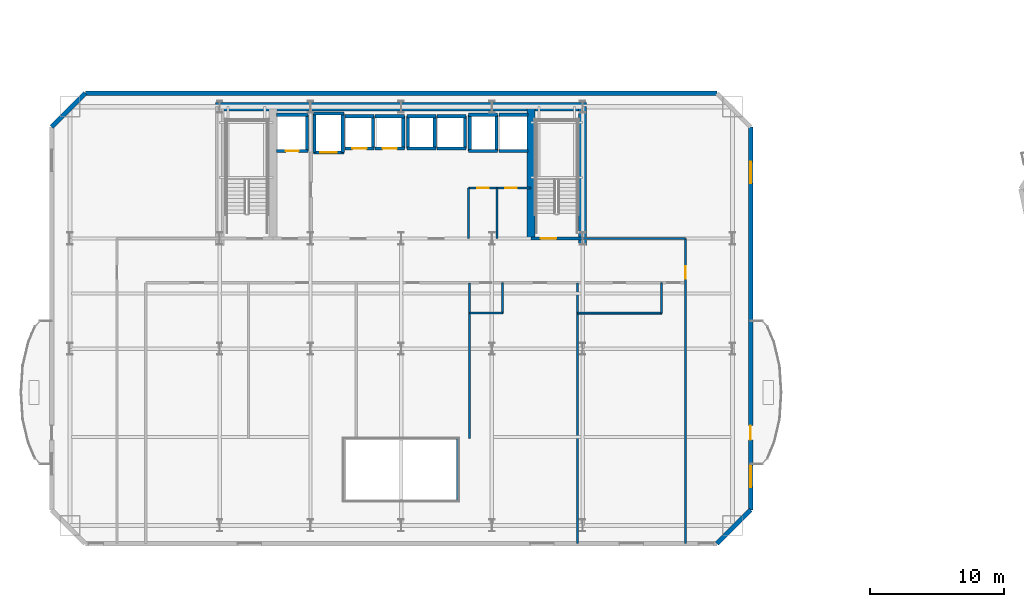
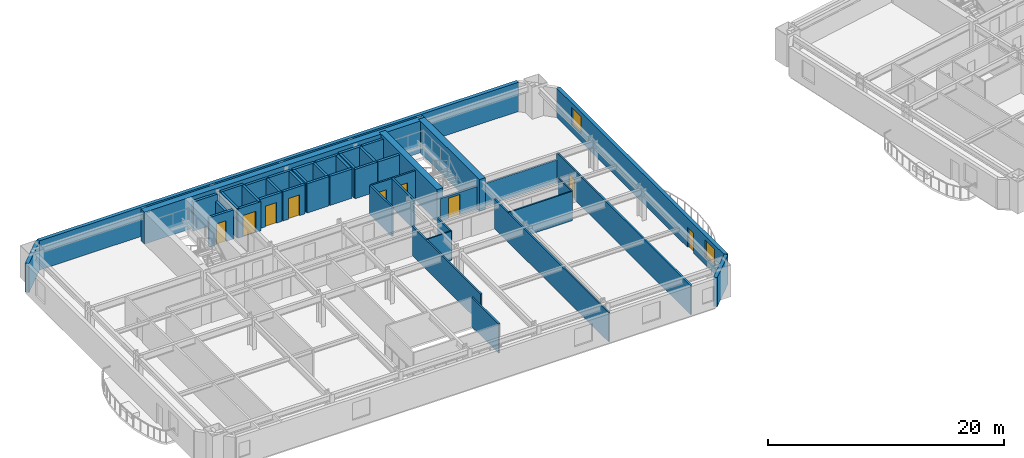
# One storey, part 6 of 16: 46 walls, 9 doors, 2 windows, 11 openings.
"""IFC4 building model written with IfcOpenShell, lengths in metres."""

import ifcopenshell
import ifcopenshell.guid

model = None  # the IFC model being written
_history = None  # IfcOwnerHistory: only IFC2X3 demands one
_inside = {}  # id of a spatial element -> (the spatial element, [elements in it])
_under = {}  # id of a project, library or spatial element -> (it, [spatial elements below it])
_declared = {}  # id of a project -> (the project, [libraries it declares])
_typed = {}  # id of a type object -> (the type object, [elements of that type])
_made_of = {}  # id of a material, layer set ... -> (it, [elements and type objects made of it])


def new_model(schema):
    """Start an empty IFC model of exactly this schema.

    Asked for "IFC4X3", IfcOpenShell would pick the latest addendum, in which some entities
    have other attributes; the version numbers below select the first issue.
    IFC2X3 requires an IfcOwnerHistory on every rooted entity: one is made here for all.
    """
    global model, _history
    if schema == "IFC4X3":
        model = ifcopenshell.file(schema_version=(4, 3, 0, 0))
    else:
        model = ifcopenshell.file(schema=schema)
    _inside.clear()
    _under.clear()
    _declared.clear()
    _typed.clear()
    _made_of.clear()
    _history = None
    if model.schema == "IFC2X3":
        org = make("IfcOrganization", Name="unknown")
        user = make(
            "IfcPersonAndOrganization",
            ThePerson=make("IfcPerson", FamilyName="unknown"),
            TheOrganization=org,
        )
        app = make(
            "IfcApplication",
            ApplicationDeveloper=org,
            Version="unknown",
            ApplicationFullName="unknown",
            ApplicationIdentifier="unknown",
        )
        _history = make(
            "IfcOwnerHistory",
            OwningUser=user,
            OwningApplication=app,
            ChangeAction="ADDED",
            CreationDate=0,
        )
    return model


def make(cls, **values):
    """One entity of the class cls with the attributes given. An attribute that is None is left unset."""
    return model.create_entity(
        cls, **{name: value for name, value in values.items() if value is not None}
    )


def rooted(cls, **values):
    """An entity with a GlobalId (a new one), such as an element, a storey or a relation."""
    return make(cls, GlobalId=ifcopenshell.guid.new(), OwnerHistory=_history, **values)


def si_unit(unit_type, name, prefix=None):
    """IfcSIUnit, for example si_unit("LENGTHUNIT", "METRE", prefix="MILLI")."""
    return make("IfcSIUnit", UnitType=unit_type, Prefix=prefix, Name=name)


def assignment(units):
    """IfcUnitAssignment: the units of a project."""
    return None if units is None else make("IfcUnitAssignment", Units=units)


def point(xyz):
    """IfcCartesianPoint."""
    return None if xyz is None else make("IfcCartesianPoint", Coordinates=xyz)


def direction(xyz):
    """IfcDirection."""
    return None if xyz is None else make("IfcDirection", DirectionRatios=xyz)


def frame(location, z_axis=None, x_axis=None):
    """IfcAxis2Placement3D, a coordinate frame: its origin and axes. An axis left out is left unset."""
    return make(
        "IfcAxis2Placement3D",
        Location=point(location),
        Axis=direction(z_axis),
        RefDirection=direction(x_axis),
    )


def frame_2d(location, x_axis=None):
    """IfcAxis2Placement2D, a coordinate frame in the plane: its origin and x axis."""
    return make(
        "IfcAxis2Placement2D", Location=point(location), RefDirection=direction(x_axis)
    )


def origin():
    """The frame at (0, 0, 0) with its axes left unset."""
    return frame((0.0, 0.0, 0.0))


def place(relative_to, where):
    """IfcLocalPlacement: puts the frame where relative to a parent placement (None: the world)."""
    return make(
        "IfcLocalPlacement", PlacementRelTo=relative_to, RelativePlacement=where
    )


def context(
    kind, dimensions, precision=None, world=None, true_north=None, identifier=None
):
    """IfcGeometricRepresentationContext, for example the 3D "Model" context."""
    return make(
        "IfcGeometricRepresentationContext",
        ContextIdentifier=identifier,
        ContextType=kind,
        CoordinateSpaceDimension=dimensions,
        Precision=precision,
        WorldCoordinateSystem=world,
        TrueNorth=true_north,
    )


def subcontext(parent, identifier, kind, view, scale=None):
    """IfcGeometricRepresentationSubContext, for example "Body" below "Model"."""
    return make(
        "IfcGeometricRepresentationSubContext",
        ContextIdentifier=identifier,
        ContextType=kind,
        ParentContext=parent,
        TargetScale=scale,
        TargetView=view,
    )


def project(units=None, contexts=None):
    """IfcProject with its units and contexts."""
    return rooted(
        "IfcProject",
        Name="project",
        RepresentationContexts=contexts,
        UnitsInContext=assignment(units),
    )


def spatial(cls, under=None, at=None, **own):
    """A site, building, storey or space (cls), placed at a placement, below another one or the project."""
    s = rooted(cls, ObjectPlacement=at, **own)
    if under is not None:
        _under.setdefault(under.id(), (under, []))[1].append(s)
    return s


def profile(cls, at=None, kind="AREA", **sizes):
    """A parametric profile (cls). Its sizes go by their IFC names, for example OverallWidth=200.0."""
    return make(cls, ProfileType=kind, Position=at, **sizes)


def rectangle(**sizes):
    """IfcRectangleProfileDef."""
    return profile("IfcRectangleProfileDef", **sizes)


def extrude(swept, where, along, depth):
    """IfcExtrudedAreaSolid: the profile swept, set in the frame where, extruded along a direction by depth."""
    return make(
        "IfcExtrudedAreaSolid",
        SweptArea=swept,
        Position=where,
        ExtrudedDirection=direction(along),
        Depth=depth,
    )


def shape(context_of_items, identifier, shape_type, items):
    """IfcShapeRepresentation: the items that make up one representation, for example the "Body"."""
    return make(
        "IfcShapeRepresentation",
        ContextOfItems=context_of_items,
        RepresentationIdentifier=identifier,
        RepresentationType=shape_type,
        Items=items,
    )


def material(Name=None, Category=None):
    """IfcMaterial."""
    return make("IfcMaterial", Name=Name, Category=Category)


def layer(
    of_material, thickness, ventilated=None, Name=None, Category=None, Priority=None
):
    """IfcMaterialLayer: one layer of a wall or slab, of a material (None: an air gap)."""
    return make(
        "IfcMaterialLayer",
        Material=of_material,
        LayerThickness=thickness,
        IsVentilated=ventilated,
        Name=Name,
        Category=Category,
        Priority=Priority,
    )


def layer_set(layers, Name=None):
    """IfcMaterialLayerSet."""
    return make("IfcMaterialLayerSet", MaterialLayers=layers, LayerSetName=Name)


def made_of(thing, what):
    """Note that an element or type object is made of a material, layer set ...; save() writes the relation."""
    if what is not None:
        _made_of.setdefault(what.id(), (what, []))[1].append(thing)
    return thing


def type_object(cls, material=None, **own):
    """A type object (cls), such as IfcWallType, which elements share."""
    return made_of(rooted(cls, **own), material)


def element(
    cls,
    number,
    at=None,
    inside=None,
    cuts=None,
    type_object=None,
    material=None,
    context=None,
    identifier="Body",
    shape_type=None,
    held_by="IfcProductDefinitionShape",
    body=None,
    shapes=None,
    **own,
):
    """One element of the class cls, such as IfcWall. Its Tag is "e" and its number.

    at: its placement. inside: the storey or other place that contains it. cuts: it is an
    opening in that element (IfcRelVoidsElement). A single representation is given by context,
    identifier, shape_type and body (its items); several are given by shapes. held_by: the class
    of the entity that holds the representations. save() writes the other relations.
    """
    e = rooted(cls, Tag="e%d" % number, ObjectPlacement=at, **own)
    if body is not None:
        shapes = [shape(context, identifier, shape_type, body)]
    if shapes is not None:
        e.Representation = make(held_by, Representations=shapes)
    if inside is not None:
        _inside.setdefault(inside.id(), (inside, []))[1].append(e)
    if cuts is not None:
        rooted(
            "IfcRelVoidsElement", RelatingBuildingElement=cuts, RelatedOpeningElement=e
        )
    if type_object is not None:
        _typed.setdefault(type_object.id(), (type_object, []))[1].append(e)
    return made_of(e, material)


def fill(opening, filler):
    """IfcRelFillsElement: the door or window that sits in an opening."""
    return rooted(
        "IfcRelFillsElement",
        RelatingOpeningElement=opening,
        RelatedBuildingElement=filler,
    )


def aggregate(whole, parts):
    """IfcRelAggregates: a whole, such as a stair, and the parts it consists of."""
    return rooted("IfcRelAggregates", RelatingObject=whole, RelatedObjects=parts)


def save(model, path):
    """Write the relations noted so far, then the file.

    IfcRelAggregates (storeys below a building ...), IfcRelContainedInSpatialStructure (elements
    in a storey), IfcRelDefinesByType, IfcRelAssociatesMaterial and IfcRelDeclares: one each for
    every whole, place, type object, material and project.
    """
    for whole, parts in _under.values():
        aggregate(whole, parts)
    for where, things in _inside.values():
        rooted(
            "IfcRelContainedInSpatialStructure",
            RelatedElements=things,
            RelatingStructure=where,
        )
    for kind, things in _typed.values():
        rooted("IfcRelDefinesByType", RelatedObjects=things, RelatingType=kind)
    for what, things in _made_of.values():
        rooted("IfcRelAssociatesMaterial", RelatedObjects=things, RelatingMaterial=what)
    for by, libraries in _declared.values():
        rooted("IfcRelDeclares", RelatingContext=by, RelatedDefinitions=libraries)
    model.write(path)


model = new_model("IFC4")

# Units and contexts
model_context = context("Model", 3, precision=1e-05, world=origin(), true_north=direction((0.0, 1.0)))
body_context = subcontext(model_context, "Body", "Model", "MODEL_VIEW")
ifc_project = project(units=[si_unit("LENGTHUNIT", "METRE"), si_unit("AREAUNIT", "SQUARE_METRE"), si_unit("VOLUMEUNIT", "CUBIC_METRE"), si_unit("PLANEANGLEUNIT", "RADIAN"), si_unit("MASSUNIT", "GRAM", prefix="KILO")], contexts=[model_context])

# Site, building, storey
site_placement = place(None, origin())
site = spatial("IfcSite", under=ifc_project, at=site_placement, CompositionType="ELEMENT")
building_placement = place(site_placement, origin())
building = spatial("IfcBuilding", under=site, at=building_placement, Name="Haevon Station Towers", CompositionType="ELEMENT")
storey_placement = place(building_placement, frame((0.0, 0.0, 57.0)))
storey = spatial("IfcBuildingStorey", under=building, at=storey_placement, Name="L14", CompositionType="ELEMENT", Elevation=57.0)

# Wall, opening, door
ifc_material_1 = material(Name="Gypsum board on steel stud", Category="steel")
ifc_layer_1 = layer(ifc_material_1, 0.199951171875)
ifc_layer_set_1 = layer_set([ifc_layer_1], Name="Gypsum board on steel stud")
wall_type_1 = type_object("IfcWallType", Name="WL-COR200", PredefinedType="PARTITIONING", material=ifc_layer_set_1)
wall_1_placement = place(storey_placement, frame((47.14990234375, 38.199951171875, 0.0), z_axis=(0.0, 0.0, 1.0), x_axis=(1.0, 0.0, 0.0)))
wall_1 = element("IfcWall", 1, at=wall_1_placement, inside=storey, type_object=wall_type_1, Name="WL-ST-ST2-L14", PredefinedType="PARTITIONING", context=body_context, shape_type="SweptSolid", body=[
    extrude(rectangle(XDim=3.85009765625, YDim=0.199951171875, at=frame_2d((1.925048828125, 0.0))), origin(), (0.0, 0.0, 1.0), 2.330078125),
])
opening_1_placement = place(wall_1_placement, frame((0.75, 0.0, 0.0)))
opening_1 = element("IfcOpeningElement", 2, at=opening_1_placement, cuts=wall_1, Name="Opening DR-ST-ST2-L14", PredefinedType="OPENING", context=body_context, shape_type="SweptSolid", body=[
    extrude(rectangle(XDim=1.1201171875, YDim=2.10009765625, at=frame_2d((0.56005859375, 1.050048828125))), frame((0.0, 0.10986328125, 0.0), z_axis=(0.0, -1.0, 0.0), x_axis=(1.0, 0.0, 0.0)), (0.0, 0.0, 1.0), 0.219970703125),
])
ifc_material_2 = material(Name="Engineered oak timber", Category="wood")
door_type_1 = type_object("IfcDoorType", Name="DR-ST-1120", OperationType="NOTDEFINED", PredefinedType="DOOR", material=ifc_material_2)
door_1_placement = place(opening_1_placement, origin())
door_1 = element("IfcDoor", 3, at=door_1_placement, inside=storey, type_object=door_type_1, Name="L14 Escape Stair ST2 Fire Door", OperationType="SINGLE_SWING_RIGHT", OverallHeight=2.10009765625, OverallWidth=1.1201171875, PredefinedType="DOOR", context=body_context, shape_type="SweptSolid", body=[
    extrude(rectangle(XDim=1.1201171875, YDim=2.10009765625, at=frame_2d((0.56005859375, 1.050048828125))), frame((0.0, 0.02490234375, 0.0), z_axis=(0.0, -1.0, 0.0), x_axis=(1.0, 0.0, 0.0)), (0.0, 0.0, 1.0), 0.050048828125),
])
fill(opening_1, door_1)

# Walls
ifc_material_3 = material(Name="Concrete C60/75", Category="concrete")
ifc_layer_2 = layer(ifc_material_3, 0.60009765625)
ifc_layer_set_2 = layer_set([ifc_layer_2], Name="Concrete C60/75")
wall_type_2 = type_object("IfcWallType", Name="WL-CR600", PredefinedType="SHEAR", material=ifc_layer_set_2)
wall_2_placement = place(storey_placement, frame((23.699951171875, 48.0, 0.0), z_axis=(0.0, 0.0, 1.0), x_axis=(1.0, 0.0, 0.0)))
element("IfcWall", 4, at=wall_2_placement, inside=storey, type_object=wall_type_2, Name="WL-T1CR-L14-N", PredefinedType="SHEAR", context=body_context, shape_type="SweptSolid", body=[
    extrude(rectangle(XDim=27.60009765625, YDim=0.60009765625, at=frame_2d((13.800048828125, 0.0))), origin(), (0.0, 0.0, 1.0), 3.300048828125),
])
wall_3_placement = place(storey_placement, frame((51.0, 37.679931640625, 0.0), z_axis=(0.0, 0.0, 1.0), x_axis=(0.0, 1.0, 0.0)))
element("IfcWall", 5, at=wall_3_placement, inside=storey, type_object=wall_type_2, Name="WL-T1CR-L14-E", PredefinedType="SHEAR", context=body_context, shape_type="SweptSolid", body=[
    extrude(rectangle(XDim=10.320068359375, YDim=0.60009765625, at=frame_2d((5.16015625, 0.0))), origin(), (0.0, 0.0, 1.0), 3.300048828125),
])
wall_4_placement = place(storey_placement, frame((47.14990234375, 38.199951171875, 0.0), z_axis=(0.0, 0.0, 1.0), x_axis=(0.0, 1.0, 0.0)))
element("IfcWall", 6, at=wall_4_placement, inside=storey, type_object=wall_type_2, Name="WL-T1CR-L14-M2", PredefinedType="SHEAR", context=body_context, shape_type="SweptSolid", body=[
    extrude(rectangle(XDim=9.800048828125, YDim=0.60009765625, at=frame_2d((4.89990234375, 0.0))), origin(), (0.0, 0.0, 1.0), 3.300048828125),
])
ifc_material_4 = material(Name="Precast concrete C45/55", Category="concrete")
ifc_layer_3 = layer(ifc_material_4, 0.340087890625)
ifc_layer_set_3 = layer_set([ifc_layer_3], Name="Precast concrete C45/55")
wall_type_3 = type_object("IfcWallType", Name="WL-EXT-PIER340", PredefinedType="SOLIDWALL", material=ifc_layer_set_3)
wall_5_placement = place(storey_placement, frame((11.5, 46.5, 0.0), z_axis=(0.0, 0.0, 1.0), x_axis=(0.707106781187, 0.707106781187, 0.0)))
element("IfcWall", 7, at=wall_5_placement, inside=storey, type_object=wall_type_3, Name="WL-T1-L14-NWC", PredefinedType="SOLIDWALL", context=body_context, shape_type="SweptSolid", body=[
    extrude(rectangle(XDim=3.53564453125, YDim=0.340087890625, at=frame_2d((1.767822265625, 0.0))), origin(), (0.0, 0.0, 1.0), 3.030029296875),
])
wall_6_placement = place(storey_placement, frame((14.0, 49.0, 0.0), z_axis=(0.0, 0.0, 1.0), x_axis=(1.0, 0.0, 0.0)))
element("IfcWall", 8, at=wall_6_placement, inside=storey, type_object=wall_type_3, Name="WL-T1-L14-N", PredefinedType="SOLIDWALL", context=body_context, shape_type="SweptSolid", body=[
    extrude(rectangle(XDim=47.0, YDim=0.340087890625, at=frame_2d((23.5, 0.0))), origin(), (0.0, 0.0, 1.0), 3.030029296875),
])

# Wall, openings, door, windows
wall_7_placement = place(storey_placement, frame((63.5, 46.5, 0.0), z_axis=(0.0, 0.0, 1.0), x_axis=(0.0, -1.0, 0.0)))
wall_7 = element("IfcWall", 9, at=wall_7_placement, inside=storey, type_object=wall_type_3, Name="WL-T1-L14-E", PredefinedType="SOLIDWALL", context=body_context, shape_type="SweptSolid", body=[
    extrude(rectangle(XDim=28.5, YDim=0.340087890625, at=frame_2d((14.25, 0.0))), origin(), (0.0, 0.0, 1.0), 3.030029296875),
])
opening_2_placement = place(wall_7_placement, frame((22.22509765625, 0.0, 0.0)))
opening_2 = element("IfcOpeningElement", 10, at=opening_2_placement, cuts=wall_7, Name="Opening DR-T1-SCAL-L14-E", PredefinedType="OPENING", context=body_context, shape_type="SweptSolid", body=[
    extrude(rectangle(XDim=1.050048828125, YDim=2.10009765625, at=frame_2d((0.52490234375, 1.050048828125))), frame((0.0, 0.179931640625, 0.0), z_axis=(0.0, -1.0, 0.0), x_axis=(1.0, 0.0, 0.0)), (0.0, 0.0, 1.0), 0.360107421875),
])
opening_3_placement = place(wall_7_placement, frame((2.607177734375, 0.0, 0.800048828125)))
opening_3 = element("IfcOpeningElement", 11, at=opening_3_placement, cuts=wall_7, Name="Opening WN-END160", PredefinedType="OPENING", context=body_context, shape_type="SweptSolid", body=[
    extrude(rectangle(XDim=1.60009765625, YDim=1.800048828125, at=frame_2d((0.800048828125, 0.89990234375))), frame((0.0, 0.179931640625, 0.0), z_axis=(0.0, -1.0, 0.0), x_axis=(1.0, 0.0, 0.0)), (0.0, 0.0, 1.0), 0.360107421875),
])
opening_4_placement = place(wall_7_placement, frame((25.1962890625, 0.0, 0.800048828125)))
opening_4 = element("IfcOpeningElement", 12, at=opening_4_placement, cuts=wall_7, Name="Opening WN-END160", PredefinedType="OPENING", context=body_context, shape_type="SweptSolid", body=[
    extrude(rectangle(XDim=1.60009765625, YDim=1.800048828125, at=frame_2d((0.800048828125, 0.89990234375))), frame((0.0, 0.179931640625, 0.0), z_axis=(0.0, -1.0, 0.0), x_axis=(1.0, 0.0, 0.0)), (0.0, 0.0, 1.0), 0.360107421875),
])
ifc_material_5 = material(Name="Thermally broken anodised aluminium and laminated safety glass", Category="aluminium")
door_type_2 = type_object("IfcDoorType", Name="DR-BALC-1050", OperationType="NOTDEFINED", PredefinedType="DOOR", material=ifc_material_5)
door_2_placement = place(opening_2_placement, origin())
door_2 = element("IfcDoor", 13, at=door_2_placement, inside=storey, type_object=door_type_2, Name="Tower 1 L14 East Scalloped Balcony Door", OperationType="SINGLE_SWING_LEFT", OverallHeight=2.10009765625, OverallWidth=1.050048828125, PredefinedType="DOOR", context=body_context, shape_type="SweptSolid", body=[
    extrude(rectangle(XDim=1.050048828125, YDim=2.10009765625, at=frame_2d((0.52490234375, 1.050048828125))), frame((0.0, 0.02490234375, 0.0), z_axis=(0.0, -1.0, 0.0), x_axis=(1.0, 0.0, 0.0)), (0.0, 0.0, 1.0), 0.050048828125),
])
fill(opening_2, door_2)
ifc_material_6 = material(Name="Low-E triple glazing in thermally broken aluminium", Category="aluminium")
window_type = type_object("IfcWindowType", Name="WN-END160", PartitioningType="SINGLE_PANEL", PredefinedType="WINDOW", material=ifc_material_6)
window_1_placement = place(opening_3_placement, origin())
window_1 = element("IfcWindow", 14, at=window_1_placement, inside=storey, type_object=window_type, Name="WN-T1-L14-E01", OverallHeight=1.800048828125, OverallWidth=1.60009765625, PartitioningType="SINGLE_PANEL", PredefinedType="WINDOW", context=body_context, shape_type="SweptSolid", body=[
    extrude(rectangle(XDim=1.60009765625, YDim=1.800048828125, at=frame_2d((0.800048828125, 0.89990234375))), frame((0.0, 0.030029296875, 0.0), z_axis=(0.0, -1.0, 0.0), x_axis=(1.0, 0.0, 0.0)), (0.0, 0.0, 1.0), 0.06005859375),
])
fill(opening_3, window_1)
window_2_placement = place(opening_4_placement, origin())
window_2 = element("IfcWindow", 15, at=window_2_placement, inside=storey, type_object=window_type, Name="WN-T1-L14-E02", OverallHeight=1.800048828125, OverallWidth=1.60009765625, PartitioningType="SINGLE_PANEL", PredefinedType="WINDOW", context=body_context, shape_type="SweptSolid", body=[
    extrude(rectangle(XDim=1.60009765625, YDim=1.800048828125, at=frame_2d((0.800048828125, 0.89990234375))), frame((0.0, 0.030029296875, 0.0), z_axis=(0.0, -1.0, 0.0), x_axis=(1.0, 0.0, 0.0)), (0.0, 0.0, 1.0), 0.06005859375),
])
fill(opening_4, window_2)

# Walls
wall_8_placement = place(storey_placement, frame((63.5, 18.0, 0.0), z_axis=(0.0, 0.0, 1.0), x_axis=(-0.707106781187, -0.707106781187, 0.0)))
element("IfcWall", 16, at=wall_8_placement, inside=storey, type_object=wall_type_3, Name="WL-T1-L14-SEC", PredefinedType="SOLIDWALL", context=body_context, shape_type="SweptSolid", body=[
    extrude(rectangle(XDim=3.53564453125, YDim=0.340087890625, at=frame_2d((1.767822265625, 0.0))), origin(), (0.0, 0.0, 1.0), 3.030029296875),
])
ifc_layer_4 = layer(ifc_material_1, 0.125)
ifc_layer_set_4 = layer_set([ifc_layer_4], Name="Gypsum board on steel stud")
wall_type_4 = type_object("IfcWallType", Name="WL-PRT125", PredefinedType="PARTITIONING", material=ifc_layer_set_4)
wall_9_placement = place(storey_placement, frame((42.590087890625, 32.64990234375, 0.0), z_axis=(0.0, 0.0, 1.0), x_axis=(1.0, 0.0, 0.0)))
element("IfcWall", 17, at=wall_9_placement, inside=storey, type_object=wall_type_4, Name="WL-T1PT-L14-15", PredefinedType="PARTITIONING", context=body_context, shape_type="SweptSolid", body=[
    extrude(rectangle(XDim=2.449951171875, YDim=0.125, at=frame_2d((1.22509765625, 0.0))), origin(), (0.0, 0.0, 1.0), 3.030029296875),
])
wall_10_placement = place(storey_placement, frame((56.8701171875, 32.64990234375, 0.0), z_axis=(0.0, 0.0, 1.0), x_axis=(0.0, 1.0, 0.0)))
element("IfcWall", 18, at=wall_10_placement, inside=storey, type_object=wall_type_4, Name="WL-T1PT-L14-19", PredefinedType="PARTITIONING", context=body_context, shape_type="SweptSolid", body=[
    extrude(rectangle(XDim=2.25, YDim=0.125, at=frame_2d((1.125, 0.0))), origin(), (0.0, 0.0, 1.0), 3.030029296875),
])
ifc_layer_5 = layer(ifc_material_1, 0.139892578125)
ifc_layer_set_5 = layer_set([ifc_layer_5], Name="Gypsum board on steel stud")
wall_type_5 = type_object("IfcWallType", Name="WL-PRT140", PredefinedType="PARTITIONING", material=ifc_layer_set_5)
wall_11_placement = place(storey_placement, frame((45.0400390625, 32.64990234375, 0.0), z_axis=(0.0, 0.0, 1.0), x_axis=(0.0, 1.0, 0.0)))
element("IfcWall", 19, at=wall_11_placement, inside=storey, type_object=wall_type_5, Name="WL-T1PT-L14-16", PredefinedType="PARTITIONING", context=body_context, shape_type="SweptSolid", body=[
    extrude(rectangle(XDim=2.25, YDim=0.139892578125, at=frame_2d((1.125, 0.0))), origin(), (0.0, 0.0, 1.0), 3.030029296875),
])
wall_12_placement = place(storey_placement, frame((50.6201171875, 32.64990234375, 0.0), z_axis=(0.0, 0.0, 1.0), x_axis=(1.0, 0.0, 0.0)))
element("IfcWall", 20, at=wall_12_placement, inside=storey, type_object=wall_type_5, Name="WL-T1PT-L14-18", PredefinedType="PARTITIONING", context=body_context, shape_type="SweptSolid", body=[
    extrude(rectangle(XDim=6.25, YDim=0.139892578125, at=frame_2d((3.125, 0.0))), origin(), (0.0, 0.0, 1.0), 3.030029296875),
])
ifc_layer_6 = layer(ifc_material_1, 0.159912109375)
ifc_layer_set_6 = layer_set([ifc_layer_6], Name="Gypsum board on steel stud")
wall_type_6 = type_object("IfcWallType", Name="WL-PRT160", PredefinedType="PARTITIONING", material=ifc_layer_set_6)
for number, where, z_axis, x_axis, name in (
    (21, (42.5, 38.199951171875, 0.0), (0.0, 0.0, 1.0), (0.0, 1.0, 0.0), "WL-T1CW-L14-01"),
    (22, (44.6298828125, 38.199951171875, 0.0), (0.0, 0.0, 1.0), (0.0, 1.0, 0.0), "WL-T1CW-L14-02"),
):
    element("IfcWall", number, at=place(storey_placement, frame(where, z_axis=z_axis, x_axis=x_axis)), inside=storey, type_object=wall_type_6, Name=name, PredefinedType="PARTITIONING", context=body_context, shape_type="SweptSolid", body=[
        extrude(rectangle(XDim=3.75, YDim=0.159912109375, at=frame_2d((1.875, 0.0))), origin(), (0.0, 0.0, 1.0), 3.030029296875),
    ])

# Wall, openings, doors
wall_13_placement = place(storey_placement, frame((42.5, 41.949951171875, 0.0), z_axis=(0.0, 0.0, 1.0), x_axis=(1.0, 0.0, 0.0)))
wall_13 = element("IfcWall", 23, at=wall_13_placement, inside=storey, type_object=wall_type_6, Name="WL-T1CW-L14-03", PredefinedType="PARTITIONING", context=body_context, shape_type="SweptSolid", body=[
    extrude(rectangle(XDim=4.64990234375, YDim=0.159912109375, at=frame_2d((2.324951171875, 0.0))), origin(), (0.0, 0.0, 1.0), 3.030029296875),
])
opening_5_placement = place(wall_13_placement, frame((0.659912109375, 0.0, 0.0)))
opening_5 = element("IfcOpeningElement", 24, at=opening_5_placement, cuts=wall_13, Name="Opening DR-WL-T1CW-L14-03-1", PredefinedType="OPENING", context=body_context, shape_type="SweptSolid", body=[
    extrude(rectangle(XDim=0.85009765625, YDim=2.050048828125, at=frame_2d((0.425048828125, 1.02490234375))), frame((0.0, 0.08984375, 0.0), z_axis=(0.0, -1.0, 0.0), x_axis=(1.0, 0.0, 0.0)), (0.0, 0.0, 1.0), 0.179931640625),
])
opening_6_placement = place(wall_13_placement, frame((2.72998046875, 0.0, 0.0)))
opening_6 = element("IfcOpeningElement", 25, at=opening_6_placement, cuts=wall_13, Name="Opening DR-WL-T1CW-L14-03-2", PredefinedType="OPENING", context=body_context, shape_type="SweptSolid", body=[
    extrude(rectangle(XDim=0.85009765625, YDim=2.050048828125, at=frame_2d((0.425048828125, 1.02490234375))), frame((0.0, 0.08984375, 0.0), z_axis=(0.0, -1.0, 0.0), x_axis=(1.0, 0.0, 0.0)), (0.0, 0.0, 1.0), 0.179931640625),
])
door_type_3 = type_object("IfcDoorType", Name="DR-FD30-850", OperationType="NOTDEFINED", PredefinedType="DOOR", material=ifc_material_2)
door_3_placement = place(opening_5_placement, origin())
door_3 = element("IfcDoor", 26, at=door_3_placement, inside=storey, type_object=door_type_3, Name="L14 Tower 1 Core Room Door 3-1", OperationType="SINGLE_SWING_RIGHT", OverallHeight=2.050048828125, OverallWidth=0.85009765625, PredefinedType="DOOR", context=body_context, shape_type="SweptSolid", body=[
    extrude(rectangle(XDim=0.85009765625, YDim=2.050048828125, at=frame_2d((0.425048828125, 1.02490234375))), frame((0.0, 0.02490234375, 0.0), z_axis=(0.0, -1.0, 0.0), x_axis=(1.0, 0.0, 0.0)), (0.0, 0.0, 1.0), 0.050048828125),
])
fill(opening_5, door_3)
door_4_placement = place(opening_6_placement, origin())
door_4 = element("IfcDoor", 27, at=door_4_placement, inside=storey, type_object=door_type_3, Name="L14 Tower 1 Core Room Door 3-2", OperationType="SINGLE_SWING_LEFT", OverallHeight=2.050048828125, OverallWidth=0.85009765625, PredefinedType="DOOR", context=body_context, shape_type="SweptSolid", body=[
    extrude(rectangle(XDim=0.85009765625, YDim=2.050048828125, at=frame_2d((0.425048828125, 1.02490234375))), frame((0.0, 0.02490234375, 0.0), z_axis=(0.0, -1.0, 0.0), x_axis=(1.0, 0.0, 0.0)), (0.0, 0.0, 1.0), 0.050048828125),
])
fill(opening_6, door_4)

# Wall
wall_14_placement = place(storey_placement, frame((51.0, 38.199951171875, 0.0), z_axis=(0.0, 0.0, 1.0), x_axis=(1.0, 0.0, 0.0)))
element("IfcWall", 28, at=wall_14_placement, inside=storey, type_object=wall_type_6, Name="WL-T1PT-L14-03", PredefinedType="PARTITIONING", context=body_context, shape_type="SweptSolid", body=[
    extrude(rectangle(XDim=7.64990234375, YDim=0.159912109375, at=frame_2d((3.824951171875, 0.0))), origin(), (0.0, 0.0, 1.0), 2.330078125),
])

# Wall, opening, door
wall_15_placement = place(storey_placement, frame((58.64990234375, 15.5, 0.0), z_axis=(0.0, 0.0, 1.0), x_axis=(0.0, 1.0, 0.0)))
wall_15 = element("IfcWall", 29, at=wall_15_placement, inside=storey, type_object=wall_type_6, Name="WL-T1PT-L14-05", PredefinedType="PARTITIONING", context=body_context, shape_type="SweptSolid", body=[
    extrude(rectangle(XDim=22.699951171875, YDim=0.159912109375, at=frame_2d((11.35009765625, 0.0))), origin(), (0.0, 0.0, 1.0), 3.030029296875),
])
opening_7_placement = place(wall_15_placement, frame((19.719970703125, 0.0, 0.0)))
opening_7 = element("IfcOpeningElement", 30, at=opening_7_placement, cuts=wall_15, Name="Opening DR-WL-T1PT-L14-05-01", PredefinedType="OPENING", context=body_context, shape_type="SweptSolid", body=[
    extrude(rectangle(XDim=0.89990234375, YDim=2.050048828125, at=frame_2d((0.449951171875, 1.02490234375))), frame((0.0, 0.08984375, 0.0), z_axis=(0.0, -1.0, 0.0), x_axis=(1.0, 0.0, 0.0)), (0.0, 0.0, 1.0), 0.179931640625),
])
door_type_4 = type_object("IfcDoorType", Name="DR-INT-900", OperationType="NOTDEFINED", PredefinedType="DOOR", material=ifc_material_2)
door_5_placement = place(opening_7_placement, origin())
door_5 = element("IfcDoor", 31, at=door_5_placement, inside=storey, type_object=door_type_4, Name="L14 Tower 1 Room Door 5-1", OperationType="SINGLE_SWING_LEFT", OverallHeight=2.050048828125, OverallWidth=0.89990234375, PredefinedType="DOOR", context=body_context, shape_type="SweptSolid", body=[
    extrude(rectangle(XDim=0.89990234375, YDim=2.050048828125, at=frame_2d((0.449951171875, 1.02490234375))), frame((0.0, 0.02490234375, 0.0), z_axis=(0.0, -1.0, 0.0), x_axis=(1.0, 0.0, 0.0)), (0.0, 0.0, 1.0), 0.050048828125),
])
fill(opening_7, door_5)

# Walls
wall_16_placement = place(storey_placement, frame((41.699951171875, 18.699951171875, 0.0), z_axis=(0.0, 0.0, 1.0), x_axis=(0.0, 1.0, 0.0)))
element("IfcWall", 32, at=wall_16_placement, inside=storey, type_object=wall_type_6, Name="WL-T1PT-L14-09", PredefinedType="PARTITIONING", context=body_context, shape_type="SweptSolid", body=[
    extrude(rectangle(XDim=4.60009765625, YDim=0.159912109375, at=frame_2d((2.300048828125, 0.0))), origin(), (0.0, 0.0, 1.0), 3.030029296875),
])
wall_17_placement = place(storey_placement, frame((42.590087890625, 23.300048828125, 0.0), z_axis=(0.0, 0.0, 1.0), x_axis=(0.0, 1.0, 0.0)))
element("IfcWall", 33, at=wall_17_placement, inside=storey, type_object=wall_type_6, Name="WL-T1PT-L14-13", PredefinedType="PARTITIONING", context=body_context, shape_type="SweptSolid", body=[
    extrude(rectangle(XDim=11.599853515625, YDim=0.159912109375, at=frame_2d((5.7998046875, 0.0))), origin(), (0.0, 0.0, 1.0), 3.030029296875),
])
wall_18_placement = place(storey_placement, frame((50.6201171875, 15.5, 0.0), z_axis=(0.0, 0.0, 1.0), x_axis=(0.0, 1.0, 0.0)))
element("IfcWall", 34, at=wall_18_placement, inside=storey, type_object=wall_type_6, Name="WL-T1PT-L14-17", PredefinedType="PARTITIONING", context=body_context, shape_type="SweptSolid", body=[
    extrude(rectangle(XDim=19.39990234375, YDim=0.159912109375, at=frame_2d((9.699951171875, 0.0))), origin(), (0.0, 0.0, 1.0), 3.030029296875),
])

# Wall, opening, door
ifc_material_7 = material(Name="Concrete C40/50", Category="concrete")
ifc_layer_7 = layer(ifc_material_7, 0.239990234375)
ifc_layer_set_7 = layer_set([ifc_layer_7], Name="Concrete C40/50")
wall_type_7 = type_object("IfcWallType", Name="WL-SHF240", PredefinedType="PARTITIONING", material=ifc_layer_set_7)
wall_19_placement = place(storey_placement, frame((28.219970703125, 44.699951171875, 0.0), z_axis=(0.0, 0.0, 1.0), x_axis=(1.0, 0.0, 0.0)))
wall_19 = element("IfcWall", 35, at=wall_19_placement, inside=storey, type_object=wall_type_7, Name="WL-SHF-FL1-L14", PredefinedType="PARTITIONING", context=body_context, shape_type="SweptSolid", body=[
    extrude(rectangle(XDim=2.360107421875, YDim=0.239990234375, at=frame_2d((1.18017578125, 0.0))), origin(), (0.0, 0.0, 1.0), 3.030029296875),
])
opening_8_placement = place(wall_19_placement, frame((0.705078125, 0.0, 0.0)))
opening_8 = element("IfcOpeningElement", 36, at=opening_8_placement, cuts=wall_19, Name="Opening LD-FL1-L14", PredefinedType="OPENING", context=body_context, shape_type="SweptSolid", body=[
    extrude(rectangle(XDim=0.949951171875, YDim=2.14990234375, at=frame_2d((0.47509765625, 1.074951171875))), frame((0.0, 0.1298828125, 0.0), z_axis=(0.0, -1.0, 0.0), x_axis=(1.0, 0.0, 0.0)), (0.0, 0.0, 1.0), 0.260009765625),
])
ifc_material_8 = material(Name="Stainless steel and rated core", Category="steel")
door_type_5 = type_object("IfcDoorType", Name="LD-FL950", OperationType="SLIDING_TO_LEFT", PredefinedType="DOOR", material=ifc_material_8)
door_6_placement = place(opening_8_placement, origin())
door_6 = element("IfcDoor", 37, at=door_6_placement, inside=storey, type_object=door_type_5, Name="L14 Lift FL1 Sliding Landing Door", OperationType="SLIDING_TO_LEFT", OverallHeight=2.14990234375, OverallWidth=0.949951171875, PredefinedType="DOOR", context=body_context, shape_type="SweptSolid", body=[
    extrude(rectangle(XDim=0.949951171875, YDim=2.14990234375, at=frame_2d((0.47509765625, 1.074951171875))), frame((0.0, 0.02490234375, 0.0), z_axis=(0.0, -1.0, 0.0), x_axis=(1.0, 0.0, 0.0)), (0.0, 0.0, 1.0), 0.050048828125),
])
fill(opening_8, door_6)

# Walls
wall_20_placement = place(storey_placement, frame((28.219970703125, 47.39990234375, 0.0), z_axis=(0.0, 0.0, 1.0), x_axis=(1.0, 0.0, 0.0)))
element("IfcWall", 38, at=wall_20_placement, inside=storey, type_object=wall_type_7, Name="WL-SHF-FL1-L14-N", PredefinedType="PARTITIONING", context=body_context, shape_type="SweptSolid", body=[
    extrude(rectangle(XDim=2.360107421875, YDim=0.239990234375, at=frame_2d((1.18017578125, 0.0))), origin(), (0.0, 0.0, 1.0), 3.030029296875),
])
wall_21_placement = place(storey_placement, frame((30.5, 44.699951171875, 0.0), z_axis=(0.0, 0.0, 1.0), x_axis=(0.0, 1.0, 0.0)))
element("IfcWall", 39, at=wall_21_placement, inside=storey, type_object=wall_type_7, Name="WL-SHF-FL1-L14-E", PredefinedType="PARTITIONING", context=body_context, shape_type="SweptSolid", body=[
    extrude(rectangle(XDim=2.699951171875, YDim=0.239990234375, at=frame_2d((1.35009765625, 0.0))), origin(), (0.0, 0.0, 1.0), 2.330078125),
])

# Wall, opening, door
wall_22_placement = place(storey_placement, frame((30.969970703125, 44.60009765625, 0.0), z_axis=(0.0, 0.0, 1.0), x_axis=(1.0, 0.0, 0.0)))
wall_22 = element("IfcWall", 40, at=wall_22_placement, inside=storey, type_object=wall_type_7, Name="WL-SHF-SL1-L14", PredefinedType="PARTITIONING", context=body_context, shape_type="SweptSolid", body=[
    extrude(rectangle(XDim=2.260009765625, YDim=0.239990234375, at=frame_2d((1.1298828125, 0.0))), origin(), (0.0, 0.0, 1.0), 3.030029296875),
])
opening_9_placement = place(wall_22_placement, frame((0.5048828125, 0.0, 0.0)))
opening_9 = element("IfcOpeningElement", 41, at=opening_9_placement, cuts=wall_22, Name="Opening LD-SL1-L14", PredefinedType="OPENING", context=body_context, shape_type="SweptSolid", body=[
    extrude(rectangle(XDim=1.25, YDim=2.199951171875, at=frame_2d((0.625, 1.10009765625))), frame((0.0, 0.1298828125, 0.0), z_axis=(0.0, -1.0, 0.0), x_axis=(1.0, 0.0, 0.0)), (0.0, 0.0, 1.0), 0.260009765625),
])
door_type_6 = type_object("IfcDoorType", Name="LD-SL1250", OperationType="SLIDING_TO_LEFT", PredefinedType="DOOR", material=ifc_material_8)
door_7_placement = place(opening_9_placement, origin())
door_7 = element("IfcDoor", 42, at=door_7_placement, inside=storey, type_object=door_type_6, Name="L14 Lift SL1 Sliding Landing Door", OperationType="SLIDING_TO_LEFT", OverallHeight=2.199951171875, OverallWidth=1.25, PredefinedType="DOOR", context=body_context, shape_type="SweptSolid", body=[
    extrude(rectangle(XDim=1.25, YDim=2.199951171875, at=frame_2d((0.625, 1.10009765625))), frame((0.0, 0.02490234375, 0.0), z_axis=(0.0, -1.0, 0.0), x_axis=(1.0, 0.0, 0.0)), (0.0, 0.0, 1.0), 0.050048828125),
])
fill(opening_9, door_7)

# Walls
wall_23_placement = place(storey_placement, frame((30.969970703125, 47.5, 0.0), z_axis=(0.0, 0.0, 1.0), x_axis=(1.0, 0.0, 0.0)))
element("IfcWall", 43, at=wall_23_placement, inside=storey, type_object=wall_type_7, Name="WL-SHF-SL1-L14-N", PredefinedType="PARTITIONING", context=body_context, shape_type="SweptSolid", body=[
    extrude(rectangle(XDim=2.260009765625, YDim=0.239990234375, at=frame_2d((1.1298828125, 0.0))), origin(), (0.0, 0.0, 1.0), 3.030029296875),
])
for number, where, z_axis, x_axis, name in (
    (44, (31.050048828125, 44.60009765625, 0.0), (0.0, 0.0, 1.0), (0.0, 1.0, 0.0), "WL-SHF-SL1-L14-W"),
    (45, (33.14990234375, 44.60009765625, 0.0), (0.0, 0.0, 1.0), (0.0, 1.0, 0.0), "WL-SHF-SL1-L14-E"),
):
    element("IfcWall", number, at=place(storey_placement, frame(where, z_axis=z_axis, x_axis=x_axis)), inside=storey, type_object=wall_type_7, Name=name, PredefinedType="PARTITIONING", context=body_context, shape_type="SweptSolid", body=[
        extrude(rectangle(XDim=2.89990234375, YDim=0.239990234375, at=frame_2d((1.449951171875, 0.0))), origin(), (0.0, 0.0, 1.0), 3.030029296875),
    ])

# Wall, opening, door
wall_24_placement = place(storey_placement, frame((33.320068359375, 44.89990234375, 0.0), z_axis=(0.0, 0.0, 1.0), x_axis=(1.0, 0.0, 0.0)))
wall_24 = element("IfcWall", 46, at=wall_24_placement, inside=storey, type_object=wall_type_7, Name="WL-SHF-PL1-L14", PredefinedType="PARTITIONING", context=body_context, shape_type="SweptSolid", body=[
    extrude(rectangle(XDim=2.159912109375, YDim=0.239990234375, at=frame_2d((1.080078125, 0.0))), origin(), (0.0, 0.0, 1.0), 3.030029296875),
])
opening_10_placement = place(wall_24_placement, frame((0.554931640625, 0.0, 0.0)))
opening_10 = element("IfcOpeningElement", 47, at=opening_10_placement, cuts=wall_24, Name="Opening LD-PL1-L14", PredefinedType="OPENING", context=body_context, shape_type="SweptSolid", body=[
    extrude(rectangle(XDim=1.050048828125, YDim=2.14990234375, at=frame_2d((0.52490234375, 1.074951171875))), frame((0.0, 0.1298828125, 0.0), z_axis=(0.0, -1.0, 0.0), x_axis=(1.0, 0.0, 0.0)), (0.0, 0.0, 1.0), 0.260009765625),
])
door_type_7 = type_object("IfcDoorType", Name="LD-PL1050", OperationType="SLIDING_TO_LEFT", PredefinedType="DOOR", material=ifc_material_8)
door_8_placement = place(opening_10_placement, origin())
door_8 = element("IfcDoor", 48, at=door_8_placement, inside=storey, type_object=door_type_7, Name="L14 Lift PL1 Sliding Landing Door", OperationType="SLIDING_TO_LEFT", OverallHeight=2.14990234375, OverallWidth=1.050048828125, PredefinedType="DOOR", context=body_context, shape_type="SweptSolid", body=[
    extrude(rectangle(XDim=1.050048828125, YDim=2.14990234375, at=frame_2d((0.52490234375, 1.074951171875))), frame((0.0, 0.02490234375, 0.0), z_axis=(0.0, -1.0, 0.0), x_axis=(1.0, 0.0, 0.0)), (0.0, 0.0, 1.0), 0.050048828125),
])
fill(opening_10, door_8)

# Walls
wall_25_placement = place(storey_placement, frame((33.320068359375, 47.300048828125, 0.0), z_axis=(0.0, 0.0, 1.0), x_axis=(1.0, 0.0, 0.0)))
element("IfcWall", 49, at=wall_25_placement, inside=storey, type_object=wall_type_7, Name="WL-SHF-PL1-L14-N", PredefinedType="PARTITIONING", context=body_context, shape_type="SweptSolid", body=[
    extrude(rectangle(XDim=2.159912109375, YDim=0.239990234375, at=frame_2d((1.080078125, 0.0))), origin(), (0.0, 0.0, 1.0), 3.030029296875),
])
wall_26_placement = place(storey_placement, frame((35.39990234375, 44.89990234375, 0.0), z_axis=(0.0, 0.0, 1.0), x_axis=(0.0, 1.0, 0.0)))
element("IfcWall", 50, at=wall_26_placement, inside=storey, type_object=wall_type_7, Name="WL-SHF-PL1-L14-E", PredefinedType="PARTITIONING", context=body_context, shape_type="SweptSolid", body=[
    extrude(rectangle(XDim=2.400146484375, YDim=0.239990234375, at=frame_2d((1.2001953125, 0.0))), origin(), (0.0, 0.0, 1.0), 3.030029296875),
])

# Wall, opening, door
wall_27_placement = place(storey_placement, frame((35.570068359375, 44.89990234375, 0.0), z_axis=(0.0, 0.0, 1.0), x_axis=(1.0, 0.0, 0.0)))
wall_27 = element("IfcWall", 51, at=wall_27_placement, inside=storey, type_object=wall_type_7, Name="WL-SHF-PL2-L14", PredefinedType="PARTITIONING", context=body_context, shape_type="SweptSolid", body=[
    extrude(rectangle(XDim=2.159912109375, YDim=0.239990234375, at=frame_2d((1.080078125, 0.0))), origin(), (0.0, 0.0, 1.0), 3.030029296875),
])
opening_11_placement = place(wall_27_placement, frame((0.554931640625, 0.0, 0.0)))
opening_11 = element("IfcOpeningElement", 52, at=opening_11_placement, cuts=wall_27, Name="Opening LD-PL2-L14", PredefinedType="OPENING", context=body_context, shape_type="SweptSolid", body=[
    extrude(rectangle(XDim=1.050048828125, YDim=2.14990234375, at=frame_2d((0.52490234375, 1.074951171875))), frame((0.0, 0.1298828125, 0.0), z_axis=(0.0, -1.0, 0.0), x_axis=(1.0, 0.0, 0.0)), (0.0, 0.0, 1.0), 0.260009765625),
])
door_9_placement = place(opening_11_placement, origin())
door_9 = element("IfcDoor", 53, at=door_9_placement, inside=storey, type_object=door_type_7, Name="L14 Lift PL2 Sliding Landing Door", OperationType="SLIDING_TO_LEFT", OverallHeight=2.14990234375, OverallWidth=1.050048828125, PredefinedType="DOOR", context=body_context, shape_type="SweptSolid", body=[
    extrude(rectangle(XDim=1.050048828125, YDim=2.14990234375, at=frame_2d((0.52490234375, 1.074951171875))), frame((0.0, 0.02490234375, 0.0), z_axis=(0.0, -1.0, 0.0), x_axis=(1.0, 0.0, 0.0)), (0.0, 0.0, 1.0), 0.050048828125),
])
fill(opening_11, door_9)

# Walls
wall_28_placement = place(storey_placement, frame((35.570068359375, 47.300048828125, 0.0), z_axis=(0.0, 0.0, 1.0), x_axis=(1.0, 0.0, 0.0)))
element("IfcWall", 54, at=wall_28_placement, inside=storey, type_object=wall_type_7, Name="WL-SHF-PL2-L14-N", PredefinedType="PARTITIONING", context=body_context, shape_type="SweptSolid", body=[
    extrude(rectangle(XDim=2.159912109375, YDim=0.239990234375, at=frame_2d((1.080078125, 0.0))), origin(), (0.0, 0.0, 1.0), 3.030029296875),
])
wall_29_placement = place(storey_placement, frame((37.64990234375, 44.89990234375, 0.0), z_axis=(0.0, 0.0, 1.0), x_axis=(0.0, 1.0, 0.0)))
element("IfcWall", 55, at=wall_29_placement, inside=storey, type_object=wall_type_7, Name="WL-SHF-PL2-L14-E", PredefinedType="PARTITIONING", context=body_context, shape_type="SweptSolid", body=[
    extrude(rectangle(XDim=2.400146484375, YDim=0.239990234375, at=frame_2d((1.2001953125, 0.0))), origin(), (0.0, 0.0, 1.0), 3.030029296875),
])
for number, where, z_axis, x_axis, name in (
    (56, (37.919921875, 44.89990234375, 0.0), (0.0, 0.0, 1.0), (1.0, 0.0, 0.0), "WL-SHF-PL3-L14"),
    (57, (37.919921875, 47.300048828125, 0.0), (0.0, 0.0, 1.0), (1.0, 0.0, 0.0), "WL-SHF-PL3-L14-N"),
):
    element("IfcWall", number, at=place(storey_placement, frame(where, z_axis=z_axis, x_axis=x_axis)), inside=storey, type_object=wall_type_7, Name=name, PredefinedType="PARTITIONING", context=body_context, shape_type="SweptSolid", body=[
        extrude(rectangle(XDim=2.16015625, YDim=0.239990234375, at=frame_2d((1.080078125, 0.0))), origin(), (0.0, 0.0, 1.0), 3.030029296875),
    ])
for number, where, z_axis, x_axis, name in (
    (58, (38.0, 44.89990234375, 0.0), (0.0, 0.0, 1.0), (0.0, 1.0, 0.0), "WL-SHF-PL3-L14-W"),
    (59, (40.0, 44.89990234375, 0.0), (0.0, 0.0, 1.0), (0.0, 1.0, 0.0), "WL-SHF-PL3-L14-E"),
):
    element("IfcWall", number, at=place(storey_placement, frame(where, z_axis=z_axis, x_axis=x_axis)), inside=storey, type_object=wall_type_7, Name=name, PredefinedType="PARTITIONING", context=body_context, shape_type="SweptSolid", body=[
        extrude(rectangle(XDim=2.400146484375, YDim=0.239990234375, at=frame_2d((1.2001953125, 0.0))), origin(), (0.0, 0.0, 1.0), 3.030029296875),
    ])
for number, where, z_axis, x_axis, name in (
    (60, (40.169921875, 44.89990234375, 0.0), (0.0, 0.0, 1.0), (1.0, 0.0, 0.0), "WL-SHF-PL4-L14"),
    (61, (40.169921875, 47.300048828125, 0.0), (0.0, 0.0, 1.0), (1.0, 0.0, 0.0), "WL-SHF-PL4-L14-N"),
):
    element("IfcWall", number, at=place(storey_placement, frame(where, z_axis=z_axis, x_axis=x_axis)), inside=storey, type_object=wall_type_7, Name=name, PredefinedType="PARTITIONING", context=body_context, shape_type="SweptSolid", body=[
        extrude(rectangle(XDim=2.16015625, YDim=0.239990234375, at=frame_2d((1.080078125, 0.0))), origin(), (0.0, 0.0, 1.0), 3.030029296875),
    ])
wall_30_placement = place(storey_placement, frame((42.25, 44.89990234375, 0.0), z_axis=(0.0, 0.0, 1.0), x_axis=(0.0, 1.0, 0.0)))
element("IfcWall", 62, at=wall_30_placement, inside=storey, type_object=wall_type_7, Name="WL-SHF-PL4-L14-E", PredefinedType="PARTITIONING", context=body_context, shape_type="SweptSolid", body=[
    extrude(rectangle(XDim=2.400146484375, YDim=0.239990234375, at=frame_2d((1.2001953125, 0.0))), origin(), (0.0, 0.0, 1.0), 3.030029296875),
])
for number, where, z_axis, x_axis, name in (
    (63, (42.52001953125, 44.699951171875, 0.0), (0.0, 0.0, 1.0), (1.0, 0.0, 0.0), "WL-SHF-PL5-L14"),
    (64, (42.52001953125, 47.39990234375, 0.0), (0.0, 0.0, 1.0), (1.0, 0.0, 0.0), "WL-SHF-PL5-L14-N"),
):
    element("IfcWall", number, at=place(storey_placement, frame(where, z_axis=z_axis, x_axis=x_axis)), inside=storey, type_object=wall_type_7, Name=name, PredefinedType="PARTITIONING", context=body_context, shape_type="SweptSolid", body=[
        extrude(rectangle(XDim=2.159912109375, YDim=0.239990234375, at=frame_2d((1.080078125, 0.0))), origin(), (0.0, 0.0, 1.0), 3.030029296875),
    ])
for number, where, z_axis, x_axis, name in (
    (65, (42.60009765625, 44.699951171875, 0.0), (0.0, 0.0, 1.0), (0.0, 1.0, 0.0), "WL-SHF-PL5-L14-W"),
    (66, (44.60009765625, 44.699951171875, 0.0), (0.0, 0.0, 1.0), (0.0, 1.0, 0.0), "WL-SHF-PL5-L14-E"),
):
    element("IfcWall", number, at=place(storey_placement, frame(where, z_axis=z_axis, x_axis=x_axis)), inside=storey, type_object=wall_type_7, Name=name, PredefinedType="PARTITIONING", context=body_context, shape_type="SweptSolid", body=[
        extrude(rectangle(XDim=2.699951171875, YDim=0.239990234375, at=frame_2d((1.35009765625, 0.0))), origin(), (0.0, 0.0, 1.0), 3.030029296875),
    ])
for number, where, z_axis, x_axis, name in (
    (67, (44.77001953125, 44.699951171875, 0.0), (0.0, 0.0, 1.0), (1.0, 0.0, 0.0), "WL-SHF-PL6-L14"),
    (68, (44.77001953125, 47.39990234375, 0.0), (0.0, 0.0, 1.0), (1.0, 0.0, 0.0), "WL-SHF-PL6-L14-N"),
):
    element("IfcWall", number, at=place(storey_placement, frame(where, z_axis=z_axis, x_axis=x_axis)), inside=storey, type_object=wall_type_7, Name=name, PredefinedType="PARTITIONING", context=body_context, shape_type="SweptSolid", body=[
        extrude(rectangle(XDim=2.159912109375, YDim=0.239990234375, at=frame_2d((1.080078125, 0.0))), origin(), (0.0, 0.0, 1.0), 3.030029296875),
    ])

save(model, "model.ifc")
